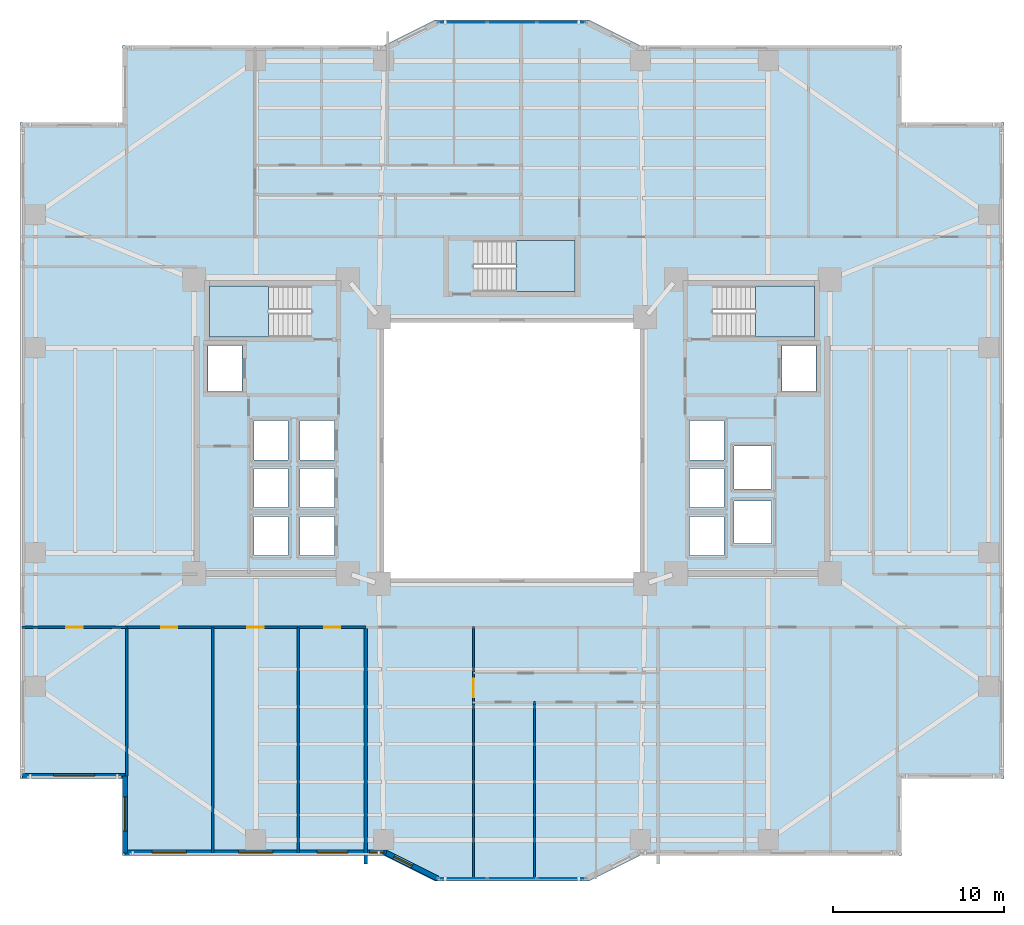
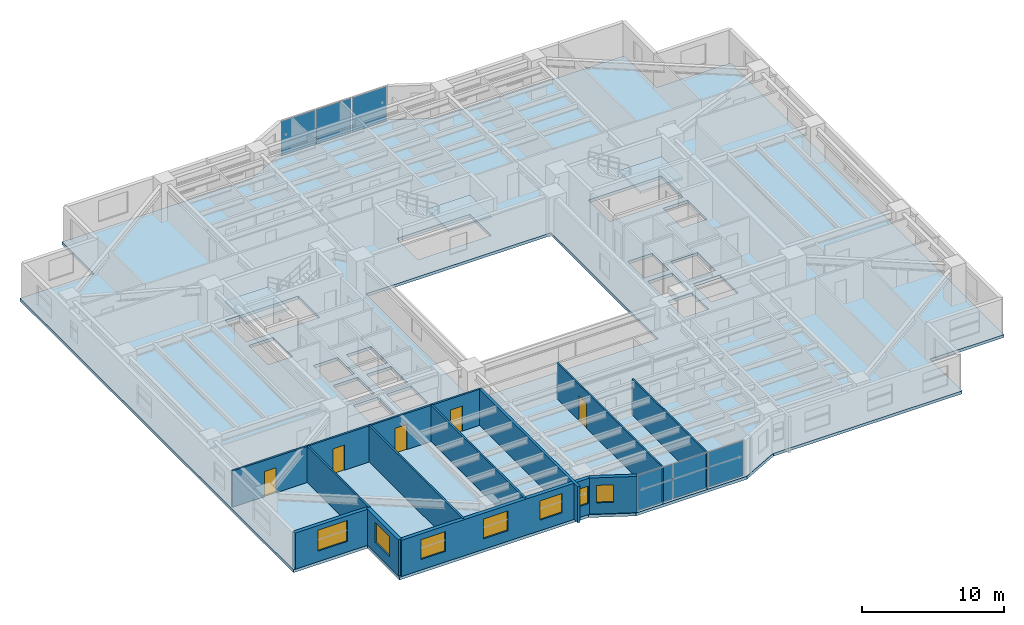
# One storey, part 9 of 19: 12 walls, 7 windows, 6 plates, 5 doors, 4 slabs, 12 openings, 5 elements without a shape of their own.
"""IFC4 building model written with IfcOpenShell, lengths in metres."""

import ifcopenshell
import ifcopenshell.guid

model = None  # the IFC model being written
_history = None  # IfcOwnerHistory: only IFC2X3 demands one
_inside = {}  # id of a spatial element -> (the spatial element, [elements in it])
_under = {}  # id of a project, library or spatial element -> (it, [spatial elements below it])
_declared = {}  # id of a project -> (the project, [libraries it declares])
_typed = {}  # id of a type object -> (the type object, [elements of that type])
_made_of = {}  # id of a material, layer set ... -> (it, [elements and type objects made of it])


def new_model(schema):
    """Start an empty IFC model of exactly this schema.

    Asked for "IFC4X3", IfcOpenShell would pick the latest addendum, in which some entities
    have other attributes; the version numbers below select the first issue.
    IFC2X3 requires an IfcOwnerHistory on every rooted entity: one is made here for all.
    """
    global model, _history
    if schema == "IFC4X3":
        model = ifcopenshell.file(schema_version=(4, 3, 0, 0))
    else:
        model = ifcopenshell.file(schema=schema)
    _inside.clear()
    _under.clear()
    _declared.clear()
    _typed.clear()
    _made_of.clear()
    _history = None
    if model.schema == "IFC2X3":
        org = make("IfcOrganization", Name="unknown")
        user = make(
            "IfcPersonAndOrganization",
            ThePerson=make("IfcPerson", FamilyName="unknown"),
            TheOrganization=org,
        )
        app = make(
            "IfcApplication",
            ApplicationDeveloper=org,
            Version="unknown",
            ApplicationFullName="unknown",
            ApplicationIdentifier="unknown",
        )
        _history = make(
            "IfcOwnerHistory",
            OwningUser=user,
            OwningApplication=app,
            ChangeAction="ADDED",
            CreationDate=0,
        )
    return model


def make(cls, **values):
    """One entity of the class cls with the attributes given. An attribute that is None is left unset."""
    return model.create_entity(
        cls, **{name: value for name, value in values.items() if value is not None}
    )


def rooted(cls, **values):
    """An entity with a GlobalId (a new one), such as an element, a storey or a relation."""
    return make(cls, GlobalId=ifcopenshell.guid.new(), OwnerHistory=_history, **values)


def si_unit(unit_type, name, prefix=None):
    """IfcSIUnit, for example si_unit("LENGTHUNIT", "METRE", prefix="MILLI")."""
    return make("IfcSIUnit", UnitType=unit_type, Prefix=prefix, Name=name)


def assignment(units):
    """IfcUnitAssignment: the units of a project."""
    return None if units is None else make("IfcUnitAssignment", Units=units)


def point(xyz):
    """IfcCartesianPoint."""
    return None if xyz is None else make("IfcCartesianPoint", Coordinates=xyz)


def direction(xyz):
    """IfcDirection."""
    return None if xyz is None else make("IfcDirection", DirectionRatios=xyz)


def frame(location, z_axis=None, x_axis=None):
    """IfcAxis2Placement3D, a coordinate frame: its origin and axes. An axis left out is left unset."""
    return make(
        "IfcAxis2Placement3D",
        Location=point(location),
        Axis=direction(z_axis),
        RefDirection=direction(x_axis),
    )


def frame_2d(location, x_axis=None):
    """IfcAxis2Placement2D, a coordinate frame in the plane: its origin and x axis."""
    return make(
        "IfcAxis2Placement2D", Location=point(location), RefDirection=direction(x_axis)
    )


def origin():
    """The frame at (0, 0, 0) with its axes left unset."""
    return frame((0.0, 0.0, 0.0))


def origin_2d():
    """The frame at (0, 0) in the plane with its x axis left unset."""
    return frame_2d((0.0, 0.0))


def place(relative_to, where):
    """IfcLocalPlacement: puts the frame where relative to a parent placement (None: the world)."""
    return make(
        "IfcLocalPlacement", PlacementRelTo=relative_to, RelativePlacement=where
    )


def context(
    kind, dimensions, precision=None, world=None, true_north=None, identifier=None
):
    """IfcGeometricRepresentationContext, for example the 3D "Model" context."""
    return make(
        "IfcGeometricRepresentationContext",
        ContextIdentifier=identifier,
        ContextType=kind,
        CoordinateSpaceDimension=dimensions,
        Precision=precision,
        WorldCoordinateSystem=world,
        TrueNorth=true_north,
    )


def subcontext(parent, identifier, kind, view, scale=None):
    """IfcGeometricRepresentationSubContext, for example "Body" below "Model"."""
    return make(
        "IfcGeometricRepresentationSubContext",
        ContextIdentifier=identifier,
        ContextType=kind,
        ParentContext=parent,
        TargetScale=scale,
        TargetView=view,
    )


def project(units=None, contexts=None):
    """IfcProject with its units and contexts."""
    return rooted(
        "IfcProject",
        Name="project",
        RepresentationContexts=contexts,
        UnitsInContext=assignment(units),
    )


def spatial(cls, under=None, at=None, **own):
    """A site, building, storey or space (cls), placed at a placement, below another one or the project."""
    s = rooted(cls, ObjectPlacement=at, **own)
    if under is not None:
        _under.setdefault(under.id(), (under, []))[1].append(s)
    return s


def polyline(points):
    """IfcPolyline through the points."""
    return make("IfcPolyline", Points=[point(p) for p in points])


def profile(cls, at=None, kind="AREA", **sizes):
    """A parametric profile (cls). Its sizes go by their IFC names, for example OverallWidth=200.0."""
    return make(cls, ProfileType=kind, Position=at, **sizes)


def rectangle(**sizes):
    """IfcRectangleProfileDef."""
    return profile("IfcRectangleProfileDef", **sizes)


def outline(outer, holes=None, kind="AREA"):
    """IfcArbitraryClosedProfileDef: a profile drawn as a closed curve; with holes, ...WithVoids."""
    if holes is None:
        return make("IfcArbitraryClosedProfileDef", ProfileType=kind, OuterCurve=outer)
    return make(
        "IfcArbitraryProfileDefWithVoids",
        ProfileType=kind,
        OuterCurve=outer,
        InnerCurves=holes,
    )


def extrude(swept, where, along, depth):
    """IfcExtrudedAreaSolid: the profile swept, set in the frame where, extruded along a direction by depth."""
    return make(
        "IfcExtrudedAreaSolid",
        SweptArea=swept,
        Position=where,
        ExtrudedDirection=direction(along),
        Depth=depth,
    )


def shape(context_of_items, identifier, shape_type, items):
    """IfcShapeRepresentation: the items that make up one representation, for example the "Body"."""
    return make(
        "IfcShapeRepresentation",
        ContextOfItems=context_of_items,
        RepresentationIdentifier=identifier,
        RepresentationType=shape_type,
        Items=items,
    )


def material(Name=None, Category=None):
    """IfcMaterial."""
    return make("IfcMaterial", Name=Name, Category=Category)


def layer(
    of_material, thickness, ventilated=None, Name=None, Category=None, Priority=None
):
    """IfcMaterialLayer: one layer of a wall or slab, of a material (None: an air gap)."""
    return make(
        "IfcMaterialLayer",
        Material=of_material,
        LayerThickness=thickness,
        IsVentilated=ventilated,
        Name=Name,
        Category=Category,
        Priority=Priority,
    )


def layer_set(layers, Name=None):
    """IfcMaterialLayerSet."""
    return make("IfcMaterialLayerSet", MaterialLayers=layers, LayerSetName=Name)


def made_of(thing, what):
    """Note that an element or type object is made of a material, layer set ...; save() writes the relation."""
    if what is not None:
        _made_of.setdefault(what.id(), (what, []))[1].append(thing)
    return thing


def type_object(cls, material=None, **own):
    """A type object (cls), such as IfcWallType, which elements share."""
    return made_of(rooted(cls, **own), material)


def element(
    cls,
    number,
    at=None,
    inside=None,
    cuts=None,
    type_object=None,
    material=None,
    context=None,
    identifier="Body",
    shape_type=None,
    held_by="IfcProductDefinitionShape",
    body=None,
    shapes=None,
    **own,
):
    """One element of the class cls, such as IfcWall. Its Tag is "e" and its number.

    at: its placement. inside: the storey or other place that contains it. cuts: it is an
    opening in that element (IfcRelVoidsElement). A single representation is given by context,
    identifier, shape_type and body (its items); several are given by shapes. held_by: the class
    of the entity that holds the representations. save() writes the other relations.
    """
    e = rooted(cls, Tag="e%d" % number, ObjectPlacement=at, **own)
    if body is not None:
        shapes = [shape(context, identifier, shape_type, body)]
    if shapes is not None:
        e.Representation = make(held_by, Representations=shapes)
    if inside is not None:
        _inside.setdefault(inside.id(), (inside, []))[1].append(e)
    if cuts is not None:
        rooted(
            "IfcRelVoidsElement", RelatingBuildingElement=cuts, RelatedOpeningElement=e
        )
    if type_object is not None:
        _typed.setdefault(type_object.id(), (type_object, []))[1].append(e)
    return made_of(e, material)


def fill(opening, filler):
    """IfcRelFillsElement: the door or window that sits in an opening."""
    return rooted(
        "IfcRelFillsElement",
        RelatingOpeningElement=opening,
        RelatedBuildingElement=filler,
    )


def aggregate(whole, parts):
    """IfcRelAggregates: a whole, such as a stair, and the parts it consists of."""
    return rooted("IfcRelAggregates", RelatingObject=whole, RelatedObjects=parts)


def save(model, path):
    """Write the relations noted so far, then the file.

    IfcRelAggregates (storeys below a building ...), IfcRelContainedInSpatialStructure (elements
    in a storey), IfcRelDefinesByType, IfcRelAssociatesMaterial and IfcRelDeclares: one each for
    every whole, place, type object, material and project.
    """
    for whole, parts in _under.values():
        aggregate(whole, parts)
    for where, things in _inside.values():
        rooted(
            "IfcRelContainedInSpatialStructure",
            RelatedElements=things,
            RelatingStructure=where,
        )
    for kind, things in _typed.values():
        rooted("IfcRelDefinesByType", RelatedObjects=things, RelatingType=kind)
    for what, things in _made_of.values():
        rooted("IfcRelAssociatesMaterial", RelatedObjects=things, RelatingMaterial=what)
    for by, libraries in _declared.values():
        rooted("IfcRelDeclares", RelatingContext=by, RelatedDefinitions=libraries)
    model.write(path)


model = new_model("IFC4")

# Units and contexts
model_context = context("Model", 3, precision=1e-05, world=origin(), true_north=direction((0.0, 1.0)))
body_context = subcontext(model_context, "Body", "Model", "MODEL_VIEW")
ifc_project = project(units=[si_unit("LENGTHUNIT", "METRE"), si_unit("AREAUNIT", "SQUARE_METRE"), si_unit("VOLUMEUNIT", "CUBIC_METRE"), si_unit("PLANEANGLEUNIT", "RADIAN"), si_unit("MASSUNIT", "GRAM", prefix="KILO")], contexts=[model_context])

# Site, building, storey
site_placement = place(None, origin())
site = spatial("IfcSite", under=ifc_project, at=site_placement, CompositionType="ELEMENT")
building_placement = place(site_placement, origin())
building = spatial("IfcBuilding", under=site, at=building_placement, Name="Tarnavaz Court Tower", CompositionType="ELEMENT")
storey_placement = place(building_placement, frame((0.0, 0.0, 50.800048828125)))
storey = spatial("IfcBuildingStorey", under=building, at=storey_placement, Name="L13", CompositionType="ELEMENT", Elevation=50.800048828125)

# Curtain wall, plates
ifc_material_1 = material(Name="Anodised Aluminium 6063-T6 and Solar Low-E Glazing", Category="aluminium")
ifc_layer_1 = layer(ifc_material_1, 0.179931640625)
ifc_layer_set_1 = layer_set([ifc_layer_1], Name="Anodised Aluminium 6063-T6 and Solar Low-E Glazing")
curtain_wall_type = type_object("IfcCurtainWallType", Name="CW-SYS-02", PredefinedType="NOTDEFINED", material=ifc_layer_set_1)
curtain_wall_1_placement = place(storey_placement, origin())
curtain_wall_1 = element("IfcCurtainWall", 1, at=curtain_wall_1_placement, inside=storey, type_object=curtain_wall_type, Name="L13 Iwan Prow Curtain Wall 7", PredefinedType="NOTDEFINED")
ifc_material_2 = material(Name="Double-Glazed Solar Low-E Glass", Category="glass")
ifc_layer_2 = layer(ifc_material_2, 0.028076171875)
ifc_layer_set_2 = layer_set([ifc_layer_2], Name="Double-Glazed Solar Low-E Glass")
plate_type = type_object("IfcPlateType", Name="CW-PAN-GLZ28", PredefinedType="CURTAIN_PANEL", material=ifc_layer_set_2)
plate_1_placement = place(storey_placement, frame((-2.88134765625, 25.050048828125, 0.06494140625), z_axis=(0.0, 0.0, 1.0), x_axis=(1.0, 0.0, 0.0)))
plate_1 = element("IfcPlate", 2, at=plate_1_placement, type_object=plate_type, Name="CW panel 1.1", PredefinedType="CURTAIN_PANEL", context=body_context, shape_type="SweptSolid", body=[
    extrude(rectangle(XDim=2.78759765625, YDim=0.028076171875, at=origin_2d()), origin(), (0.0, 0.0, 1.0), 2.969970703125),
])
plate_2_placement = place(storey_placement, frame((0.0, 25.050048828125, 0.06494140625), z_axis=(0.0, 0.0, 1.0), x_axis=(1.0, 0.0, 0.0)))
plate_2 = element("IfcPlate", 3, at=plate_2_placement, type_object=plate_type, Name="CW panel 2.1", PredefinedType="CURTAIN_PANEL", context=body_context, shape_type="SweptSolid", body=[
    extrude(rectangle(XDim=2.824951171875, YDim=0.028076171875, at=origin_2d()), origin(), (0.0, 0.0, 1.0), 2.969970703125),
])
plate_3_placement = place(storey_placement, frame((2.88134765625, 25.050048828125, 0.06494140625), z_axis=(0.0, 0.0, 1.0), x_axis=(1.0, 0.0, 0.0)))
plate_3 = element("IfcPlate", 4, at=plate_3_placement, type_object=plate_type, Name="CW panel 3.1", PredefinedType="CURTAIN_PANEL", context=body_context, shape_type="SweptSolid", body=[
    extrude(rectangle(XDim=2.78759765625, YDim=0.028076171875, at=origin_2d()), origin(), (0.0, 0.0, 1.0), 2.969970703125),
])
aggregate(curtain_wall_1, [plate_1, plate_2, plate_3])

curtain_wall_2_placement = place(storey_placement, origin())
curtain_wall_2 = element("IfcCurtainWall", 5, at=curtain_wall_2_placement, inside=storey, type_object=curtain_wall_type, Name="L13 Iwan Prow Curtain Wall 17", PredefinedType="NOTDEFINED")
plate_4_placement = place(storey_placement, frame((2.88134765625, -25.050048828125, 0.06494140625), z_axis=(0.0, 0.0, 1.0), x_axis=(-1.0, 0.0, 0.0)))
plate_4 = element("IfcPlate", 6, at=plate_4_placement, type_object=plate_type, Name="CW panel 1.1", PredefinedType="CURTAIN_PANEL", context=body_context, shape_type="SweptSolid", body=[
    extrude(rectangle(XDim=2.78759765625, YDim=0.028076171875, at=origin_2d()), origin(), (0.0, 0.0, 1.0), 2.969970703125),
])
plate_5_placement = place(storey_placement, frame((0.0, -25.050048828125, 0.06494140625), z_axis=(0.0, 0.0, 1.0), x_axis=(-1.0, 0.0, 0.0)))
plate_5 = element("IfcPlate", 7, at=plate_5_placement, type_object=plate_type, Name="CW panel 2.1", PredefinedType="CURTAIN_PANEL", context=body_context, shape_type="SweptSolid", body=[
    extrude(rectangle(XDim=2.824951171875, YDim=0.028076171875, at=origin_2d()), origin(), (0.0, 0.0, 1.0), 2.969970703125),
])
plate_6_placement = place(storey_placement, frame((-2.88134765625, -25.050048828125, 0.06494140625), z_axis=(0.0, 0.0, 1.0), x_axis=(-1.0, 0.0, 0.0)))
plate_6 = element("IfcPlate", 8, at=plate_6_placement, type_object=plate_type, Name="CW panel 3.1", PredefinedType="CURTAIN_PANEL", context=body_context, shape_type="SweptSolid", body=[
    extrude(rectangle(XDim=2.78759765625, YDim=0.028076171875, at=origin_2d()), origin(), (0.0, 0.0, 1.0), 2.969970703125),
])
aggregate(curtain_wall_2, [plate_4, plate_5, plate_6])

# Stair, slab
ifc_material_3 = material(Name="Concrete C40/50", Category="concrete")
stair_type = type_object("IfcStairType", Name="ST-TWR-20R", PredefinedType="HALF_TURN_STAIR", material=ifc_material_3)
stair_1_placement = place(storey_placement, origin())
stair_1 = element("IfcStair", 9, at=stair_1_placement, inside=storey, type_object=stair_type, Name="L13 West Core Pressurized Exit Stair ST-W1", PredefinedType="HALF_TURN_STAIR")
ifc_layer_3 = layer(ifc_material_3, 0.199951171875)
ifc_layer_set_3 = layer_set([ifc_layer_3], Name="Concrete C40/50")
slab_type_1 = type_object("IfcSlabType", Name="SL-LAND-200", PredefinedType="LANDING", material=ifc_layer_set_3)
slab_1_placement = place(storey_placement, frame((0.0, 0.0, 1.474853515625)))
slab_1 = element("IfcSlab", 10, at=slab_1_placement, type_object=slab_type_1, Name="ST-W1 landing 1", PredefinedType="LANDING", context=body_context, shape_type="SweptSolid", body=[
    extrude(outline(polyline([(-14.239990234375, 9.639892578125), (-17.699951171875, 9.639892578125), (-17.699951171875, 6.64990234375), (-14.239990234375, 6.64990234375), (-14.239990234375, 9.639892578125)])), origin(), (0.0, 0.0, 1.0), 0.2001953125),
])
aggregate(stair_1, [slab_1])

stair_2_placement = place(storey_placement, origin())
stair_2 = element("IfcStair", 11, at=stair_2_placement, inside=storey, type_object=stair_type, Name="L13 East Core Pressurized Exit Stair ST-E1", PredefinedType="HALF_TURN_STAIR")
slab_2_placement = place(storey_placement, frame((0.0, 0.0, 1.474853515625)))
slab_2 = element("IfcSlab", 12, at=slab_2_placement, type_object=slab_type_1, Name="ST-E1 landing 1", PredefinedType="LANDING", context=body_context, shape_type="SweptSolid", body=[
    extrude(outline(polyline([(14.239990234375, 6.64990234375), (17.699951171875, 6.64990234375), (17.699951171875, 9.639892578125), (14.239990234375, 9.639892578125), (14.239990234375, 6.64990234375)])), origin(), (0.0, 0.0, 1.0), 0.2001953125),
])
aggregate(stair_2, [slab_2])

stair_3_placement = place(storey_placement, origin())
stair_3 = element("IfcStair", 13, at=stair_3_placement, inside=storey, type_object=stair_type, Name="L13 North Ring Pressurized Exit Stair ST-N1", PredefinedType="HALF_TURN_STAIR")
slab_3_placement = place(storey_placement, frame((0.0, 0.0, 1.474853515625)))
slab_3 = element("IfcSlab", 14, at=slab_3_placement, type_object=slab_type_1, Name="ST-N1 landing 1", PredefinedType="LANDING", context=body_context, shape_type="SweptSolid", body=[
    extrude(outline(polyline([(0.239990234375, 9.300048828125), (3.699951171875, 9.300048828125), (3.699951171875, 12.2900390625), (0.239990234375, 12.2900390625), (0.239990234375, 9.300048828125)])), origin(), (0.0, 0.0, 1.0), 0.2001953125),
])
aggregate(stair_3, [slab_3])

# Slab
ifc_layer_4 = layer(ifc_material_3, 0.25)
ifc_layer_set_4 = layer_set([ifc_layer_4], Name="Concrete C40/50")
slab_type_2 = type_object("IfcSlabType", Name="SL-RES-250", PredefinedType="FLOOR", material=ifc_layer_set_4)
slab_4_placement = place(storey_placement, frame((0.0, 0.0, -0.25)))
element("IfcSlab", 15, at=slab_4_placement, inside=storey, type_object=slab_type_2, Name="L13 Structural Floor Slab", PredefinedType="FLOOR", context=body_context, shape_type="SweptSolid", body=[
    extrude(outline(polyline([(-22.800048828125, -23.699951171875), (-7.5, -23.699951171875), (-4.5, -25.199951171875), (4.5, -25.199951171875), (7.5, -23.699951171875), (22.800048828125, -23.699951171875), (22.800048828125, -19.199951171875), (28.800048828125, -19.199951171875), (28.800048828125, 19.199951171875), (22.800048828125, 19.199951171875), (22.800048828125, 23.699951171875), (7.5, 23.699951171875), (4.5, 25.199951171875), (-4.5, 25.199951171875), (-7.5, 23.699951171875), (-22.800048828125, 23.699951171875), (-22.800048828125, 19.199951171875), (-28.800048828125, 19.199951171875), (-28.800048828125, -19.199951171875), (-22.800048828125, -19.199951171875), (-22.800048828125, -23.699951171875)]), holes=[polyline([(-7.5, -7.5), (7.5, -7.5), (7.5, 7.5), (-7.5, 7.5), (-7.5, -7.5)]), polyline([(-11.7451171875, 9.639892578125), (-17.699951171875, 9.639892578125), (-17.699951171875, 6.64990234375), (-11.7451171875, 6.64990234375), (-11.7451171875, 9.639892578125)]), polyline([(11.7451171875, 6.64990234375), (17.699951171875, 6.64990234375), (17.699951171875, 9.639892578125), (11.7451171875, 9.639892578125), (11.7451171875, 6.64990234375)]), polyline([(-2.2548828125, 9.300048828125), (3.699951171875, 9.300048828125), (3.699951171875, 12.2900390625), (-2.2548828125, 12.2900390625), (-2.2548828125, 9.300048828125)]), polyline([(-17.800048828125, 3.449951171875), (-15.800048828125, 3.449951171875), (-15.800048828125, 6.14990234375), (-17.800048828125, 6.14990234375), (-17.800048828125, 3.449951171875)]), polyline([(-12.39990234375, -6.14990234375), (-10.39990234375, -6.14990234375), (-10.39990234375, -3.85009765625), (-12.39990234375, -3.85009765625), (-12.39990234375, -6.14990234375)]), polyline([(-12.39990234375, -3.35009765625), (-10.39990234375, -3.35009765625), (-10.39990234375, -1.050048828125), (-12.39990234375, -1.050048828125), (-12.39990234375, -3.35009765625)]), polyline([(-12.39990234375, -0.550048828125), (-10.39990234375, -0.550048828125), (-10.39990234375, 1.75), (-12.39990234375, 1.75), (-12.39990234375, -0.550048828125)]), polyline([(-15.10009765625, -6.14990234375), (-13.10009765625, -6.14990234375), (-13.10009765625, -3.85009765625), (-15.10009765625, -3.85009765625), (-15.10009765625, -6.14990234375)]), polyline([(-15.10009765625, -3.35009765625), (-13.10009765625, -3.35009765625), (-13.10009765625, -1.050048828125), (-15.10009765625, -1.050048828125), (-15.10009765625, -3.35009765625)]), polyline([(-15.10009765625, -0.550048828125), (-13.10009765625, -0.550048828125), (-13.10009765625, 1.75), (-15.10009765625, 1.75), (-15.10009765625, -0.550048828125)]), polyline([(15.800048828125, 3.449951171875), (17.800048828125, 3.449951171875), (17.800048828125, 6.14990234375), (15.800048828125, 6.14990234375), (15.800048828125, 3.449951171875)]), polyline([(10.39990234375, -6.14990234375), (12.39990234375, -6.14990234375), (12.39990234375, -3.85009765625), (10.39990234375, -3.85009765625), (10.39990234375, -6.14990234375)]), polyline([(10.39990234375, -3.35009765625), (12.39990234375, -3.35009765625), (12.39990234375, -1.050048828125), (10.39990234375, -1.050048828125), (10.39990234375, -3.35009765625)]), polyline([(10.39990234375, -0.550048828125), (12.39990234375, -0.550048828125), (12.39990234375, 1.75), (10.39990234375, 1.75), (10.39990234375, -0.550048828125)]), polyline([(13.0, -5.449951171875), (15.199951171875, -5.449951171875), (15.199951171875, -2.949951171875), (13.0, -2.949951171875), (13.0, -5.449951171875)]), polyline([(13.0, -2.25), (15.199951171875, -2.25), (15.199951171875, 0.25), (13.0, 0.25), (13.0, -2.25)])]), origin(), (0.0, 0.0, 1.0), 0.25),
])

# Wall, opening, window
ifc_material_4 = material(Name="Precast Concrete C40/50", Category="concrete")
ifc_layer_5 = layer(ifc_material_4, 0.300048828125)
ifc_layer_set_5 = layer_set([ifc_layer_5], Name="Precast Concrete C40/50")
wall_type_1 = type_object("IfcWallType", Name="WL-EXT-300", PredefinedType="SOLIDWALL", material=ifc_layer_set_5)
wall_1_placement = place(storey_placement, frame((-22.64990234375, -19.050048828125, 0.0), z_axis=(0.0, 0.0, 1.0), x_axis=(-1.0, 0.0, 0.0)))
wall_1 = element("IfcWall", 16, at=wall_1_placement, inside=storey, type_object=wall_type_1, Name="L13 Exterior Terracotta Facade Wall 01", PredefinedType="SOLIDWALL", context=body_context, shape_type="SweptSolid", body=[
    extrude(rectangle(XDim=6.0, YDim=0.300048828125, at=frame_2d((3.0, 0.0))), origin(), (0.0, 0.0, 1.0), 3.099853515625),
])
opening_1_placement = place(wall_1_placement, frame((1.77490234375, 0.0, 0.89990234375)))
opening_1 = element("IfcOpeningElement", 17, at=opening_1_placement, cuts=wall_1, Name="Opening W06", PredefinedType="OPENING", context=body_context, shape_type="SweptSolid", body=[
    extrude(rectangle(XDim=2.39990234375, YDim=1.800048828125, at=frame_2d((1.199951171875, 0.89990234375))), frame((0.0, 0.159912109375, 0.0), z_axis=(0.0, -1.0, 0.0), x_axis=(1.0, 0.0, 0.0)), (0.0, 0.0, 1.0), 0.320068359375),
])
window_type_1 = type_object("IfcWindowType", Name="WN-APT-2400", PartitioningType="TRIPLE_PANEL_VERTICAL", PredefinedType="WINDOW", material=ifc_material_2)
window_1_placement = place(opening_1_placement, origin())
window_1 = element("IfcWindow", 18, at=window_1_placement, inside=storey, type_object=window_type_1, Name="L13 South-West Corner Reading Room Window", OverallHeight=1.800048828125, OverallWidth=2.39990234375, PartitioningType="SINGLE_PANEL", PredefinedType="WINDOW", context=body_context, shape_type="SweptSolid", body=[
    extrude(rectangle(XDim=2.39990234375, YDim=1.800048828125, at=frame_2d((1.199951171875, 0.89990234375))), frame((0.0, 0.030029296875, 0.0), z_axis=(0.0, -1.0, 0.0), x_axis=(1.0, 0.0, 0.0)), (0.0, 0.0, 1.0), 0.06005859375),
])
fill(opening_1, window_1)

wall_2_placement = place(storey_placement, frame((-4.35009765625, -25.050048828125, 0.0), z_axis=(0.0, 0.0, 1.0), x_axis=(-0.894427191, 0.4472135955, 0.0)))
wall_2 = element("IfcWall", 19, at=wall_2_placement, inside=storey, type_object=wall_type_1, Name="L13 Exterior Terracotta Facade Wall 18", PredefinedType="SOLIDWALL", context=body_context, shape_type="SweptSolid", body=[
    extrude(rectangle(XDim=3.35400390625, YDim=0.300048828125, at=frame_2d((1.677001953125, 0.0))), origin(), (0.0, 0.0, 1.0), 3.099853515625),
])
opening_2_placement = place(wall_2_placement, frame((1.65283203125, 0.0, 0.949951171875)))
opening_2 = element("IfcOpeningElement", 20, at=opening_2_placement, cuts=wall_2, Name="Opening W05", PredefinedType="OPENING", context=body_context, shape_type="SweptSolid", body=[
    extrude(rectangle(XDim=1.199951171875, YDim=1.5, at=frame_2d((0.60009765625, 0.75))), frame((0.0, 0.159912109375, 0.0), z_axis=(0.0, -1.0, 0.0), x_axis=(1.0, 0.0, 0.0)), (0.0, 0.0, 1.0), 0.320068359375),
])
window_type_2 = type_object("IfcWindowType", Name="WN-APT-1200", PartitioningType="SINGLE_PANEL", PredefinedType="WINDOW", material=ifc_material_2)
window_2_placement = place(opening_2_placement, origin())
window_2 = element("IfcWindow", 21, at=window_2_placement, inside=storey, type_object=window_type_2, Name="L13 Flat 02 Living and Dining Room Window", OverallHeight=1.5, OverallWidth=1.199951171875, PartitioningType="SINGLE_PANEL", PredefinedType="WINDOW", context=body_context, shape_type="SweptSolid", body=[
    extrude(rectangle(XDim=1.199951171875, YDim=1.5, at=frame_2d((0.60009765625, 0.75))), frame((0.0, 0.030029296875, 0.0), z_axis=(0.0, -1.0, 0.0), x_axis=(1.0, 0.0, 0.0)), (0.0, 0.0, 1.0), 0.06005859375),
])
fill(opening_2, window_2)

# Wall, openings, windows
wall_3_placement = place(storey_placement, frame((-7.35009765625, -23.550048828125, 0.0), z_axis=(0.0, 0.0, 1.0), x_axis=(-1.0, 0.0, 0.0)))
wall_3 = element("IfcWall", 22, at=wall_3_placement, inside=storey, type_object=wall_type_1, Name="L13 Exterior Terracotta Facade Wall 19", PredefinedType="SOLIDWALL", context=body_context, shape_type="SweptSolid", body=[
    extrude(rectangle(XDim=15.2998046875, YDim=0.300048828125, at=frame_2d((7.64990234375, 0.0))), origin(), (0.0, 0.0, 1.0), 3.099853515625),
])
opening_3_placement = place(wall_3_placement, frame((0.146728515625, 0.0, 0.949951171875)))
opening_3 = element("IfcOpeningElement", 23, at=opening_3_placement, cuts=wall_3, Name="Opening W15", PredefinedType="OPENING", context=body_context, shape_type="SweptSolid", body=[
    extrude(rectangle(XDim=0.85009765625, YDim=1.5, at=frame_2d((0.425048828125, 0.75))), frame((0.0, 0.159912109375, 0.0), z_axis=(0.0, -1.0, 0.0), x_axis=(1.0, 0.0, 0.0)), (0.0, 0.0, 1.0), 0.320068359375),
])
opening_4_placement = place(wall_3_placement, frame((2.26025390625, 0.0, 0.89990234375)))
opening_4 = element("IfcOpeningElement", 24, at=opening_4_placement, cuts=wall_3, Name="Opening W01", PredefinedType="OPENING", context=body_context, shape_type="SweptSolid", body=[
    extrude(rectangle(XDim=1.800048828125, YDim=1.64990234375, at=frame_2d((0.89990234375, 0.824951171875))), frame((0.0, 0.159912109375, 0.0), z_axis=(0.0, -1.0, 0.0), x_axis=(1.0, 0.0, 0.0)), (0.0, 0.0, 1.0), 0.320068359375),
])
opening_5_placement = place(wall_3_placement, frame((6.64990234375, 0.0, 0.89990234375)))
opening_5 = element("IfcOpeningElement", 25, at=opening_5_placement, cuts=wall_3, Name="Opening W08", PredefinedType="OPENING", context=body_context, shape_type="SweptSolid", body=[
    extrude(rectangle(XDim=2.0, YDim=1.699951171875, at=frame_2d((1.0, 0.85009765625))), frame((0.0, 0.159912109375, 0.0), z_axis=(0.0, -1.0, 0.0), x_axis=(1.0, 0.0, 0.0)), (0.0, 0.0, 1.0), 0.320068359375),
])
opening_6_placement = place(wall_3_placement, frame((11.716552734375, 0.0, 0.89990234375)))
opening_6 = element("IfcOpeningElement", 26, at=opening_6_placement, cuts=wall_3, Name="Opening W08", PredefinedType="OPENING", context=body_context, shape_type="SweptSolid", body=[
    extrude(rectangle(XDim=2.0, YDim=1.699951171875, at=frame_2d((1.0, 0.85009765625))), frame((0.0, 0.159912109375, 0.0), z_axis=(0.0, -1.0, 0.0), x_axis=(1.0, 0.0, 0.0)), (0.0, 0.0, 1.0), 0.320068359375),
])
window_type_3 = type_object("IfcWindowType", Name="WN-APT-1800", PartitioningType="DOUBLE_PANEL_VERTICAL", PredefinedType="WINDOW", material=ifc_material_2)
window_3_placement = place(opening_4_placement, origin())
window_3 = element("IfcWindow", 27, at=window_3_placement, inside=storey, type_object=window_type_3, Name="L13 Shared Community Tea Pantry Window", OverallHeight=1.64990234375, OverallWidth=1.800048828125, PartitioningType="SINGLE_PANEL", PredefinedType="WINDOW", context=body_context, shape_type="SweptSolid", body=[
    extrude(rectangle(XDim=1.800048828125, YDim=1.64990234375, at=frame_2d((0.89990234375, 0.824951171875))), frame((0.0, 0.030029296875, 0.0), z_axis=(0.0, -1.0, 0.0), x_axis=(1.0, 0.0, 0.0)), (0.0, 0.0, 1.0), 0.06005859375),
])
fill(opening_4, window_3)
window_type_4 = type_object("IfcWindowType", Name="WN-APT-2000", PartitioningType="DOUBLE_PANEL_VERTICAL", PredefinedType="WINDOW", material=ifc_material_2)
window_4_placement = place(opening_5_placement, origin())
window_4 = element("IfcWindow", 28, at=window_4_placement, inside=storey, type_object=window_type_4, Name="L13 Children Playroom and Daycare Window", OverallHeight=1.699951171875, OverallWidth=2.0, PartitioningType="SINGLE_PANEL", PredefinedType="WINDOW", context=body_context, shape_type="SweptSolid", body=[
    extrude(rectangle(XDim=2.0, YDim=1.699951171875, at=frame_2d((1.0, 0.85009765625))), frame((0.0, 0.030029296875, 0.0), z_axis=(0.0, -1.0, 0.0), x_axis=(1.0, 0.0, 0.0)), (0.0, 0.0, 1.0), 0.06005859375),
])
fill(opening_5, window_4)
window_5_placement = place(opening_6_placement, origin())
window_5 = element("IfcWindow", 29, at=window_5_placement, inside=storey, type_object=window_type_4, Name="L13 Resident Fitness and Yoga Studio Window", OverallHeight=1.699951171875, OverallWidth=2.0, PartitioningType="SINGLE_PANEL", PredefinedType="WINDOW", context=body_context, shape_type="SweptSolid", body=[
    extrude(rectangle(XDim=2.0, YDim=1.699951171875, at=frame_2d((1.0, 0.85009765625))), frame((0.0, 0.030029296875, 0.0), z_axis=(0.0, -1.0, 0.0), x_axis=(1.0, 0.0, 0.0)), (0.0, 0.0, 1.0), 0.06005859375),
])
fill(opening_6, window_5)
window_type_5 = type_object("IfcWindowType", Name="WN-APT-850", PartitioningType="SINGLE_PANEL", PredefinedType="WINDOW", material=ifc_material_2)
window_6_placement = place(opening_3_placement, origin())
window_6 = element("IfcWindow", 30, at=window_6_placement, inside=storey, type_object=window_type_5, Name="L13 Flat 02 Living and Dining Room Window", OverallHeight=1.5, OverallWidth=0.85009765625, PartitioningType="SINGLE_PANEL", PredefinedType="WINDOW", context=body_context, shape_type="SweptSolid", body=[
    extrude(rectangle(XDim=0.85009765625, YDim=1.5, at=frame_2d((0.425048828125, 0.75))), frame((0.0, 0.030029296875, 0.0), z_axis=(0.0, -1.0, 0.0), x_axis=(1.0, 0.0, 0.0)), (0.0, 0.0, 1.0), 0.06005859375),
])
fill(opening_3, window_6)

# Wall, opening, window
wall_4_placement = place(storey_placement, frame((-22.64990234375, -23.550048828125, 0.0), z_axis=(0.0, 0.0, 1.0), x_axis=(0.0, 1.0, 0.0)))
wall_4 = element("IfcWall", 31, at=wall_4_placement, inside=storey, type_object=wall_type_1, Name="L13 Exterior Terracotta Facade Wall 20", PredefinedType="SOLIDWALL", context=body_context, shape_type="SweptSolid", body=[
    extrude(rectangle(XDim=4.5, YDim=0.300048828125, at=frame_2d((2.25, 0.0))), origin(), (0.0, 0.0, 1.0), 3.099853515625),
])
opening_7_placement = place(wall_4_placement, frame((1.267578125, 0.0, 0.89990234375)))
opening_7 = element("IfcOpeningElement", 32, at=opening_7_placement, cuts=wall_4, Name="Opening W08", PredefinedType="OPENING", context=body_context, shape_type="SweptSolid", body=[
    extrude(rectangle(XDim=2.0, YDim=1.699951171875, at=frame_2d((1.0, 0.85009765625))), frame((0.0, 0.159912109375, 0.0), z_axis=(0.0, -1.0, 0.0), x_axis=(1.0, 0.0, 0.0)), (0.0, 0.0, 1.0), 0.320068359375),
])
window_7_placement = place(opening_7_placement, origin())
window_7 = element("IfcWindow", 33, at=window_7_placement, inside=storey, type_object=window_type_4, Name="L13 Resident Fitness and Yoga Studio Window", OverallHeight=1.699951171875, OverallWidth=2.0, PartitioningType="SINGLE_PANEL", PredefinedType="WINDOW", context=body_context, shape_type="SweptSolid", body=[
    extrude(rectangle(XDim=2.0, YDim=1.699951171875, at=frame_2d((1.0, 0.85009765625))), frame((0.0, 0.030029296875, 0.0), z_axis=(0.0, -1.0, 0.0), x_axis=(1.0, 0.0, 0.0)), (0.0, 0.0, 1.0), 0.06005859375),
])
fill(opening_7, window_7)

# Wall, openings, doors
ifc_material_5 = material(Name="Gypsum Fire-Board on Acoustic Metal Stud", Category="masonry")
ifc_layer_6 = layer(ifc_material_5, 0.14990234375)
ifc_layer_set_6 = layer_set([ifc_layer_6], Name="Gypsum Fire-Board on Acoustic Metal Stud")
wall_type_2 = type_object("IfcWallType", Name="WL-FIRE-150", PredefinedType="PARTITIONING", material=ifc_layer_set_6)
wall_5_placement = place(storey_placement, frame((-22.550048828125, -10.35009765625, 0.0), z_axis=(0.0, 0.0, 1.0), x_axis=(1.0, 0.0, 0.0)))
wall_5 = element("IfcWall", 34, at=wall_5_placement, inside=storey, type_object=wall_type_2, Name="L13 SW Corridor Wall 084", PredefinedType="PARTITIONING", context=body_context, shape_type="SweptSolid", body=[
    extrude(rectangle(XDim=14.0, YDim=0.14990234375, at=frame_2d((7.0, 0.0))), origin(), (0.0, 0.0, 1.0), 3.099853515625),
])
opening_8_placement = place(wall_5_placement, frame((2.006103515625, 0.0, 0.0)))
opening_8 = element("IfcOpeningElement", 35, at=opening_8_placement, cuts=wall_5, Name="Opening D13", PredefinedType="OPENING", context=body_context, shape_type="SweptSolid", body=[
    extrude(rectangle(XDim=0.949951171875, YDim=2.14990234375, at=frame_2d((0.47509765625, 1.074951171875))), frame((0.0, 0.0849609375, 0.0), z_axis=(0.0, -1.0, 0.0), x_axis=(1.0, 0.0, 0.0)), (0.0, 0.0, 1.0), 0.169921875),
])
opening_9_placement = place(wall_5_placement, frame((7.05810546875, 0.0, 0.0)))
opening_9 = element("IfcOpeningElement", 36, at=opening_9_placement, cuts=wall_5, Name="Opening D13", PredefinedType="OPENING", context=body_context, shape_type="SweptSolid", body=[
    extrude(rectangle(XDim=0.949951171875, YDim=2.14990234375, at=frame_2d((0.47509765625, 1.074951171875))), frame((0.0, 0.0849609375, 0.0), z_axis=(0.0, -1.0, 0.0), x_axis=(1.0, 0.0, 0.0)), (0.0, 0.0, 1.0), 0.169921875),
])
opening_10_placement = place(wall_5_placement, frame((11.552001953125, 0.0, 0.0)))
opening_10 = element("IfcOpeningElement", 37, at=opening_10_placement, cuts=wall_5, Name="Opening D13", PredefinedType="OPENING", context=body_context, shape_type="SweptSolid", body=[
    extrude(rectangle(XDim=0.949951171875, YDim=2.14990234375, at=frame_2d((0.47509765625, 1.074951171875))), frame((0.0, 0.0849609375, 0.0), z_axis=(0.0, -1.0, 0.0), x_axis=(1.0, 0.0, 0.0)), (0.0, 0.0, 1.0), 0.169921875),
])
ifc_material_6 = material(Name="Engineered Oak Timber", Category="wood")
door_type_1 = type_object("IfcDoorType", Name="DR-INT-950", OperationType="NOTDEFINED", PredefinedType="DOOR", material=ifc_material_6)
door_1_placement = place(opening_8_placement, origin())
door_1 = element("IfcDoor", 38, at=door_1_placement, inside=storey, type_object=door_type_1, Name="L13 Resident Fitness and Yoga Studio Door", OperationType="SINGLE_SWING_LEFT", OverallHeight=2.14990234375, OverallWidth=0.949951171875, PredefinedType="DOOR", context=body_context, shape_type="SweptSolid", body=[
    extrude(rectangle(XDim=0.949951171875, YDim=2.14990234375, at=frame_2d((0.47509765625, 1.074951171875))), frame((0.0, 0.02490234375, 0.0), z_axis=(0.0, -1.0, 0.0), x_axis=(1.0, 0.0, 0.0)), (0.0, 0.0, 1.0), 0.050048828125),
])
fill(opening_8, door_1)
door_2_placement = place(opening_9_placement, origin())
door_2 = element("IfcDoor", 39, at=door_2_placement, inside=storey, type_object=door_type_1, Name="L13 Children Playroom and Daycare Door", OperationType="SINGLE_SWING_RIGHT", OverallHeight=2.14990234375, OverallWidth=0.949951171875, PredefinedType="DOOR", context=body_context, shape_type="SweptSolid", body=[
    extrude(rectangle(XDim=0.949951171875, YDim=2.14990234375, at=frame_2d((0.47509765625, 1.074951171875))), frame((0.0, 0.02490234375, 0.0), z_axis=(0.0, -1.0, 0.0), x_axis=(1.0, 0.0, 0.0)), (0.0, 0.0, 1.0), 0.050048828125),
])
fill(opening_9, door_2)
door_3_placement = place(opening_10_placement, origin())
door_3 = element("IfcDoor", 40, at=door_3_placement, inside=storey, type_object=door_type_1, Name="L13 Shared Community Tea Pantry Door", OperationType="SINGLE_SWING_LEFT", OverallHeight=2.14990234375, OverallWidth=0.949951171875, PredefinedType="DOOR", context=body_context, shape_type="SweptSolid", body=[
    extrude(rectangle(XDim=0.949951171875, YDim=2.14990234375, at=frame_2d((0.47509765625, 1.074951171875))), frame((0.0, 0.02490234375, 0.0), z_axis=(0.0, -1.0, 0.0), x_axis=(1.0, 0.0, 0.0)), (0.0, 0.0, 1.0), 0.050048828125),
])
fill(opening_10, door_3)

# Wall, opening, door
wall_6_placement = place(storey_placement, frame((-28.679931640625, -10.35009765625, 0.0), z_axis=(0.0, 0.0, 1.0), x_axis=(1.0, 0.0, 0.0)))
wall_6 = element("IfcWall", 41, at=wall_6_placement, inside=storey, type_object=wall_type_2, Name="L13 Interior Partition 122", PredefinedType="PARTITIONING", context=body_context, shape_type="SweptSolid", body=[
    extrude(rectangle(XDim=6.1298828125, YDim=0.14990234375, at=frame_2d((3.06494140625, 0.0))), origin(), (0.0, 0.0, 1.0), 3.099853515625),
])
opening_11_placement = place(wall_6_placement, frame((2.590087890625, 0.0, 0.0)))
opening_11 = element("IfcOpeningElement", 42, at=opening_11_placement, cuts=wall_6, Name="Opening D13", PredefinedType="OPENING", context=body_context, shape_type="SweptSolid", body=[
    extrude(rectangle(XDim=0.949951171875, YDim=2.14990234375, at=frame_2d((0.47509765625, 1.074951171875))), frame((0.0, 0.0849609375, 0.0), z_axis=(0.0, -1.0, 0.0), x_axis=(1.0, 0.0, 0.0)), (0.0, 0.0, 1.0), 0.169921875),
])
door_4_placement = place(opening_11_placement, origin())
door_4 = element("IfcDoor", 43, at=door_4_placement, inside=storey, type_object=door_type_1, Name="L13 SW Reading Room Door", OperationType="SINGLE_SWING_RIGHT", OverallHeight=2.14990234375, OverallWidth=0.949951171875, PredefinedType="DOOR", context=body_context, shape_type="SweptSolid", body=[
    extrude(rectangle(XDim=0.949951171875, YDim=2.14990234375, at=frame_2d((0.47509765625, 1.074951171875))), frame((0.0, 0.02490234375, 0.0), z_axis=(0.0, -1.0, 0.0), x_axis=(1.0, 0.0, 0.0)), (0.0, 0.0, 1.0), 0.050048828125),
])
fill(opening_11, door_4)

# Wall
ifc_material_7 = material(Name="Autoclaved Aerated Concrete Blockwork", Category="masonry")
ifc_layer_7 = layer(ifc_material_7, 0.199951171875)
ifc_layer_set_7 = layer_set([ifc_layer_7], Name="Autoclaved Aerated Concrete Blockwork")
wall_type_3 = type_object("IfcWallType", Name="WL-FIRE-200", PredefinedType="SOLIDWALL", material=ifc_layer_set_7)
wall_7_placement = place(storey_placement, frame((-8.550048828125, -24.2041015625, 0.0), z_axis=(0.0, 0.0, 1.0), x_axis=(0.0, 1.0, 0.0)))
element("IfcWall", 44, at=wall_7_placement, inside=storey, type_object=wall_type_3, Name="L13 Party Wall 103", PredefinedType="SOLIDWALL", context=body_context, shape_type="SweptSolid", body=[
    extrude(rectangle(XDim=13.85400390625, YDim=0.199951171875, at=frame_2d((6.927001953125, 0.0))), origin(), (0.0, 0.0, 1.0), 3.099853515625),
])

# Wall, opening, door
ifc_material_8 = material(Name="Moisture-Resistant Gypsum Board Partition", Category="masonry")
ifc_layer_8 = layer(ifc_material_8, 0.1201171875)
ifc_layer_set_8 = layer_set([ifc_layer_8], Name="Moisture-Resistant Gypsum Board Partition")
wall_type_4 = type_object("IfcWallType", Name="WL-PART-120", PredefinedType="PARTITIONING", material=ifc_layer_set_8)
wall_8_placement = place(storey_placement, frame((-2.25, -25.080078125, 0.0), z_axis=(0.0, 0.0, 1.0), x_axis=(0.0, 1.0, 0.0)))
wall_8 = element("IfcWall", 45, at=wall_8_placement, inside=storey, type_object=wall_type_4, Name="L13 Interior Partition 105", PredefinedType="PARTITIONING", context=body_context, shape_type="SweptSolid", body=[
    extrude(rectangle(XDim=14.7900390625, YDim=0.1201171875, at=frame_2d((7.39501953125, 0.0))), origin(), (0.0, 0.0, 1.0), 3.099853515625),
])
opening_12_placement = place(wall_8_placement, frame((10.625, 0.0, 0.0)))
opening_12 = element("IfcOpeningElement", 46, at=opening_12_placement, cuts=wall_8, Name="Opening D12", PredefinedType="OPENING", context=body_context, shape_type="SweptSolid", body=[
    extrude(rectangle(XDim=1.080078125, YDim=2.14990234375, at=frame_2d((0.5400390625, 1.074951171875))), frame((0.0, 0.070068359375, 0.0), z_axis=(0.0, -1.0, 0.0), x_axis=(1.0, 0.0, 0.0)), (0.0, 0.0, 1.0), 0.14013671875),
])
door_type_2 = type_object("IfcDoorType", Name="DR-INT-1100", OperationType="NOTDEFINED", PredefinedType="DOOR", material=ifc_material_6)
door_5_placement = place(opening_12_placement, origin())
door_5 = element("IfcDoor", 47, at=door_5_placement, inside=storey, type_object=door_type_2, Name="L13 Flat 02 Foyer Door", OperationType="SINGLE_SWING_RIGHT", OverallHeight=2.14990234375, OverallWidth=1.080078125, PredefinedType="DOOR", context=body_context, shape_type="SweptSolid", body=[
    extrude(rectangle(XDim=1.080078125, YDim=2.14990234375, at=frame_2d((0.5400390625, 1.074951171875))), frame((0.0, 0.02490234375, 0.0), z_axis=(0.0, -1.0, 0.0), x_axis=(1.0, 0.0, 0.0)), (0.0, 0.0, 1.0), 0.050048828125),
])
fill(opening_12, door_5)

# Walls
wall_9_placement = place(storey_placement, frame((1.330078125, -25.080078125, 0.0), z_axis=(0.0, 0.0, 1.0), x_axis=(0.0, 1.0, 0.0)))
element("IfcWall", 48, at=wall_9_placement, inside=storey, type_object=wall_type_4, Name="L13 Interior Partition 110", PredefinedType="PARTITIONING", context=body_context, shape_type="SweptSolid", body=[
    extrude(rectangle(XDim=10.400146484375, YDim=0.1201171875, at=frame_2d((5.2001953125, 0.0))), origin(), (0.0, 0.0, 1.0), 3.099853515625),
])
ifc_material_9 = material(Name="Gypsum Plasterboard Acoustic Partition", Category="masonry")
ifc_layer_9 = layer(ifc_material_9, 0.139892578125)
ifc_layer_set_9 = layer_set([ifc_layer_9], Name="Gypsum Plasterboard Acoustic Partition")
wall_type_5 = type_object("IfcWallType", Name="WL-PART-150", PredefinedType="PARTITIONING", material=ifc_layer_set_9)
for number, where, z_axis, x_axis, name in (
    (49, (-17.528076171875, -23.550048828125, 0.0), (0.0, 0.0, 1.0), (0.0, 1.0, 0.0), "L13 Interior Partition 099"),
    (50, (-12.506103515625, -23.550048828125, 0.0), (0.0, 0.0, 1.0), (0.0, 1.0, 0.0), "L13 Interior Partition 100"),
):
    element("IfcWall", number, at=place(storey_placement, frame(where, z_axis=z_axis, x_axis=x_axis)), inside=storey, type_object=wall_type_5, Name=name, PredefinedType="PARTITIONING", context=body_context, shape_type="SweptSolid", body=[
        extrude(rectangle(XDim=13.199951171875, YDim=0.139892578125, at=frame_2d((6.60009765625, 0.0))), origin(), (0.0, 0.0, 1.0), 3.099853515625),
    ])
wall_10_placement = place(storey_placement, frame((-22.550048828125, -19.050048828125, 0.0), z_axis=(0.0, 0.0, 1.0), x_axis=(0.0, 1.0, 0.0)))
element("IfcWall", 51, at=wall_10_placement, inside=storey, type_object=wall_type_5, Name="L13 Interior Partition 116", PredefinedType="PARTITIONING", context=body_context, shape_type="SweptSolid", body=[
    extrude(rectangle(XDim=8.699951171875, YDim=0.139892578125, at=frame_2d((4.35009765625, 0.0))), origin(), (0.0, 0.0, 1.0), 3.099853515625),
])

save(model, "model.ifc")
